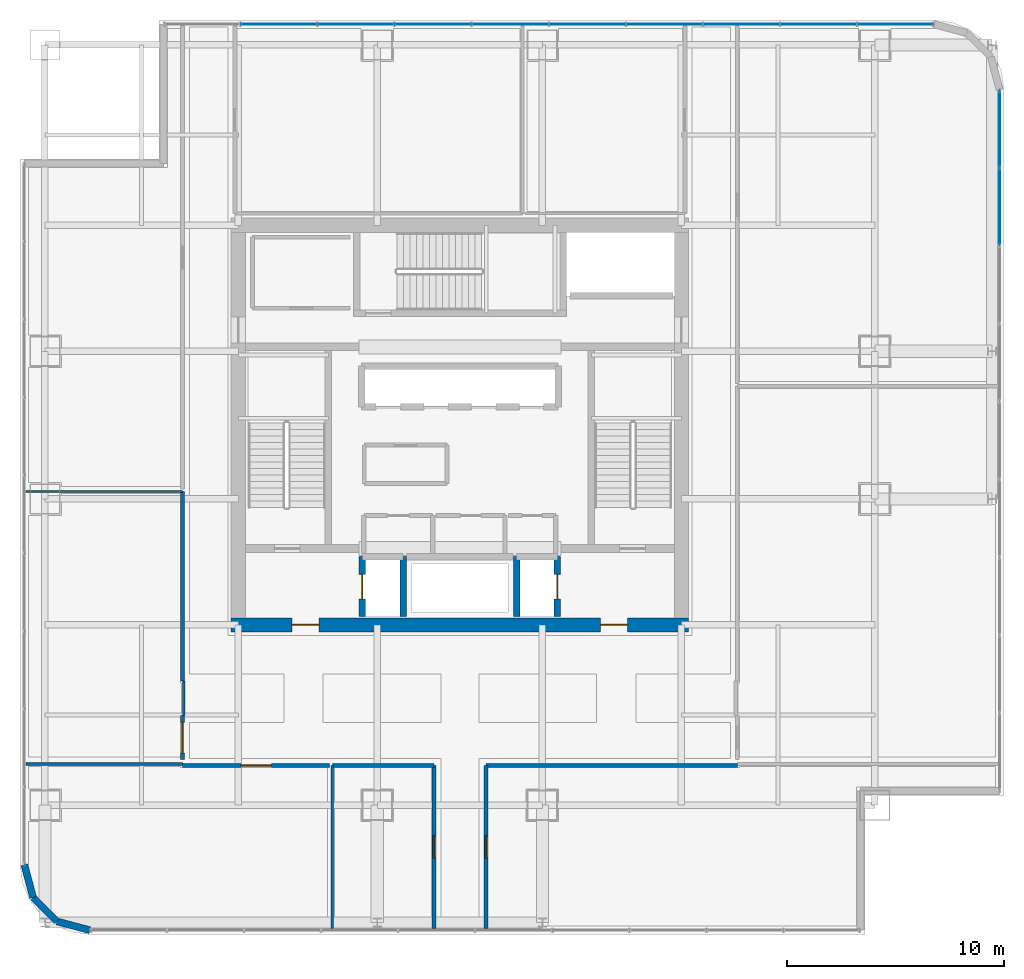
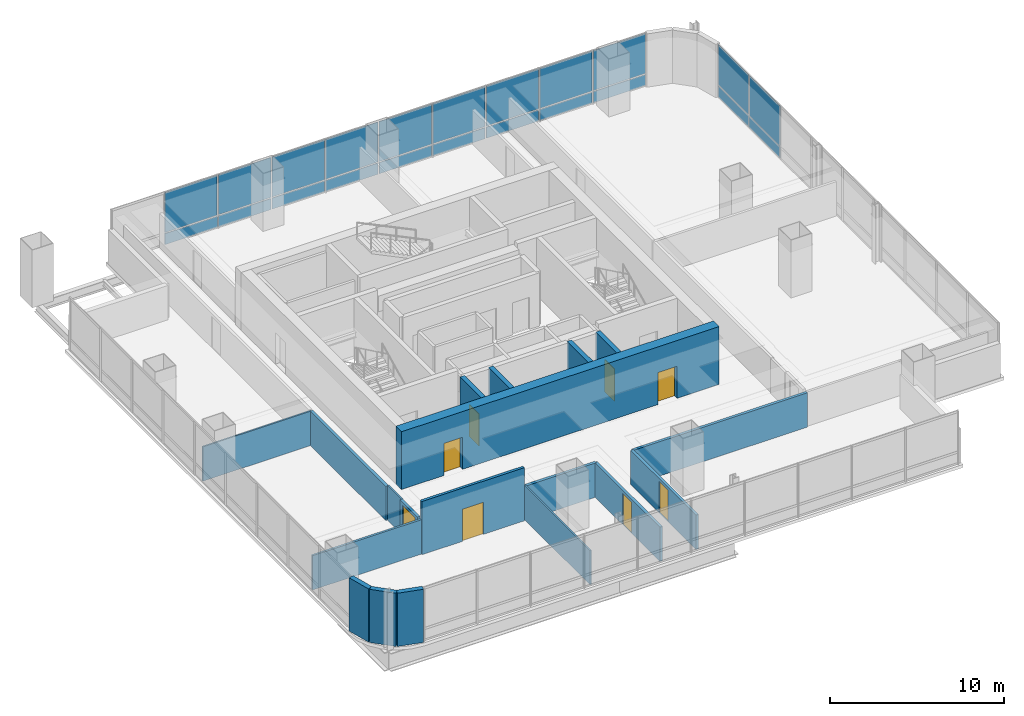
# One storey, part 29 of 35: 22 plates, 19 walls, 8 doors, 8 openings, 2 elements without a shape of their own.
"""IFC4 building model written with IfcOpenShell, lengths in metres."""

from ifc_helpers import new_model, si_unit, direction, frame, frame_2d, origin, origin_2d, place, context, subcontext, project, spatial, rectangle, extrude, material, layer, layer_set, type_object, element, fill, aggregate, save


model = new_model("IFC4")

# Units and contexts
model_context = context("Model", 3, precision=1e-05, world=origin(), true_north=direction((0.0, 1.0)))
body_context = subcontext(model_context, "Body", "Model", "MODEL_VIEW")
ifc_project = project(units=[si_unit("LENGTHUNIT", "METRE"), si_unit("AREAUNIT", "SQUARE_METRE"), si_unit("VOLUMEUNIT", "CUBIC_METRE"), si_unit("PLANEANGLEUNIT", "RADIAN"), si_unit("MASSUNIT", "GRAM", prefix="KILO")], contexts=[model_context])

# Site, building, storey
site_placement = place(None, origin())
site = spatial("IfcSite", under=ifc_project, at=site_placement, CompositionType="ELEMENT")
building_placement = place(site_placement, origin())
building = spatial("IfcBuilding", under=site, at=building_placement, Name="Punatoya Terracotta Tower", CompositionType="ELEMENT")
storey_placement = place(building_placement, frame((0.0, 0.0, 232.949951171875)))
storey = spatial("IfcBuildingStorey", under=building, at=storey_placement, Name="L55", CompositionType="ELEMENT", Elevation=232.949951171875)

# Curtain wall, plates
ifc_material_1 = material(Name="Aluminium 6063-T6 + Double Low-E Glass", Category="aluminium")
curtain_wall_type = type_object("IfcCurtainWallType", Name="CW-M2", PredefinedType="NOTDEFINED", material=ifc_material_1)
curtain_wall_1_placement = place(storey_placement, origin())
curtain_wall_1 = element("IfcCurtainWall", 1, at=curtain_wall_1_placement, inside=storey, type_object=curtain_wall_type, Name="L55 Curtain Wall CW-L55-E04-1", PredefinedType="NOTDEFINED")
ifc_material_2 = material(Name="Double Low-E Acoustic Vision Glass", Category="glass")
ifc_layer_1 = layer(ifc_material_2, 0.031982421875)
ifc_layer_set_1 = layer_set([ifc_layer_1], Name="Double Low-E Acoustic Vision Glass")
plate_type_1 = type_object("IfcPlateType", Name="PLT-GLZ-32", PredefinedType="CURTAIN_PANEL", material=ifc_layer_set_1)
plate_1_placement = place(storey_placement, frame((24.85009765625, 10.0556640625, 0.89013671875), z_axis=(0.0, 0.0, 1.0), x_axis=(0.0, 1.0, 0.0)))
plate_1 = element("IfcPlate", 2, at=plate_1_placement, type_object=plate_type_1, Name="CW-L55-E04-1 Vision Glass Panel 8", PredefinedType="CURTAIN_PANEL", context=body_context, shape_type="SweptSolid", body=[
    extrude(rectangle(XDim=3.50244140625, YDim=0.031982421875, at=origin_2d()), origin(), (0.0, 0.0, 1.0), 2.800048828125),
])
plate_2_placement = place(storey_placement, frame((24.85009765625, 13.643310546875, 0.89013671875), z_axis=(0.0, 0.0, 1.0), x_axis=(0.0, 1.0, 0.0)))
plate_2 = element("IfcPlate", 3, at=plate_2_placement, type_object=plate_type_1, Name="CW-L55-E04-1 Vision Glass Panel 9", PredefinedType="CURTAIN_PANEL", context=body_context, shape_type="SweptSolid", body=[
    extrude(rectangle(XDim=3.50244140625, YDim=0.031982421875, at=origin_2d()), origin(), (0.0, 0.0, 1.0), 2.800048828125),
])

curtain_wall_2_placement = place(storey_placement, origin())
curtain_wall_2 = element("IfcCurtainWall", 4, at=curtain_wall_2_placement, inside=storey, type_object=curtain_wall_type, Name="L55 Curtain Wall CW-L55-N08-1", PredefinedType="NOTDEFINED")
plate_3_placement = place(storey_placement, frame((20.0625, 18.449951171875, 0.89013671875), z_axis=(0.0, 0.0, 1.0), x_axis=(-1.0, 0.0, 0.0)))
plate_3 = element("IfcPlate", 5, at=plate_3_placement, type_object=plate_type_1, Name="CW-L55-N08-1 Vision Glass Panel 1", PredefinedType="CURTAIN_PANEL", context=body_context, shape_type="SweptSolid", body=[
    extrude(rectangle(XDim=3.463623046875, YDim=0.031982421875, at=origin_2d()), origin(), (0.0, 0.0, 1.0), 2.800048828125),
])
plate_4_placement = place(storey_placement, frame((16.513916015625, 18.449951171875, 0.89013671875), z_axis=(0.0, 0.0, 1.0), x_axis=(-1.0, 0.0, 0.0)))
plate_4 = element("IfcPlate", 6, at=plate_4_placement, type_object=plate_type_1, Name="CW-L55-N08-1 Vision Glass Panel 2", PredefinedType="CURTAIN_PANEL", context=body_context, shape_type="SweptSolid", body=[
    extrude(rectangle(XDim=3.463623046875, YDim=0.031982421875, at=origin_2d()), origin(), (0.0, 0.0, 1.0), 2.800048828125),
])
plate_5_placement = place(storey_placement, frame((12.965087890625, 18.449951171875, 0.89013671875), z_axis=(0.0, 0.0, 1.0), x_axis=(-1.0, 0.0, 0.0)))
plate_5 = element("IfcPlate", 7, at=plate_5_placement, type_object=plate_type_1, Name="CW-L55-N08-1 Vision Glass Panel 3", PredefinedType="CURTAIN_PANEL", context=body_context, shape_type="SweptSolid", body=[
    extrude(rectangle(XDim=3.463623046875, YDim=0.031982421875, at=origin_2d()), origin(), (0.0, 0.0, 1.0), 2.800048828125),
])
plate_6_placement = place(storey_placement, frame((9.41650390625, 18.449951171875, 0.89013671875), z_axis=(0.0, 0.0, 1.0), x_axis=(-1.0, 0.0, 0.0)))
plate_6 = element("IfcPlate", 8, at=plate_6_placement, type_object=plate_type_1, Name="CW-L55-N08-1 Vision Glass Panel 4", PredefinedType="CURTAIN_PANEL", context=body_context, shape_type="SweptSolid", body=[
    extrude(rectangle(XDim=3.463623046875, YDim=0.031982421875, at=origin_2d()), origin(), (0.0, 0.0, 1.0), 2.800048828125),
])
plate_7_placement = place(storey_placement, frame((5.867919921875, 18.449951171875, 0.89013671875), z_axis=(0.0, 0.0, 1.0), x_axis=(-1.0, 0.0, 0.0)))
plate_7 = element("IfcPlate", 9, at=plate_7_placement, type_object=plate_type_1, Name="CW-L55-N08-1 Vision Glass Panel 5", PredefinedType="CURTAIN_PANEL", context=body_context, shape_type="SweptSolid", body=[
    extrude(rectangle(XDim=3.463623046875, YDim=0.031982421875, at=origin_2d()), origin(), (0.0, 0.0, 1.0), 2.800048828125),
])
plate_8_placement = place(storey_placement, frame((2.319091796875, 18.449951171875, 0.89013671875), z_axis=(0.0, 0.0, 1.0), x_axis=(-1.0, 0.0, 0.0)))
plate_8 = element("IfcPlate", 10, at=plate_8_placement, type_object=plate_type_1, Name="CW-L55-N08-1 Vision Glass Panel 6", PredefinedType="CURTAIN_PANEL", context=body_context, shape_type="SweptSolid", body=[
    extrude(rectangle(XDim=3.463623046875, YDim=0.031982421875, at=origin_2d()), origin(), (0.0, 0.0, 1.0), 2.800048828125),
])
plate_9_placement = place(storey_placement, frame((-1.2294921875, 18.449951171875, 0.89013671875), z_axis=(0.0, 0.0, 1.0), x_axis=(-1.0, 0.0, 0.0)))
plate_9 = element("IfcPlate", 11, at=plate_9_placement, type_object=plate_type_1, Name="CW-L55-N08-1 Vision Glass Panel 7", PredefinedType="CURTAIN_PANEL", context=body_context, shape_type="SweptSolid", body=[
    extrude(rectangle(XDim=3.463623046875, YDim=0.031982421875, at=origin_2d()), origin(), (0.0, 0.0, 1.0), 2.800048828125),
])
plate_10_placement = place(storey_placement, frame((-4.7783203125, 18.449951171875, 0.89013671875), z_axis=(0.0, 0.0, 1.0), x_axis=(-1.0, 0.0, 0.0)))
plate_10 = element("IfcPlate", 12, at=plate_10_placement, type_object=plate_type_1, Name="CW-L55-N08-1 Vision Glass Panel 8", PredefinedType="CURTAIN_PANEL", context=body_context, shape_type="SweptSolid", body=[
    extrude(rectangle(XDim=3.463623046875, YDim=0.031982421875, at=origin_2d()), origin(), (0.0, 0.0, 1.0), 2.800048828125),
])
plate_11_placement = place(storey_placement, frame((-8.326904296875, 18.449951171875, 0.89013671875), z_axis=(0.0, 0.0, 1.0), x_axis=(-1.0, 0.0, 0.0)))
plate_11 = element("IfcPlate", 13, at=plate_11_placement, type_object=plate_type_1, Name="CW-L55-N08-1 Vision Glass Panel 9", PredefinedType="CURTAIN_PANEL", context=body_context, shape_type="SweptSolid", body=[
    extrude(rectangle(XDim=3.463623046875, YDim=0.031982421875, at=origin_2d()), origin(), (0.0, 0.0, 1.0), 2.800048828125),
])

# Plate
ifc_material_3 = material(Name="Insulated Terracotta-Backed Spandrel Panel", Category="masonry")
ifc_layer_2 = layer(ifc_material_3, 0.044921875)
ifc_layer_set_2 = layer_set([ifc_layer_2], Name="Insulated Terracotta-Backed Spandrel Panel")
plate_type_2 = type_object("IfcPlateType", Name="PLT-SPN-45", PredefinedType="CURTAIN_PANEL", material=ifc_layer_set_2)
plate_12_placement = place(storey_placement, frame((24.85009765625, 10.0556640625, 0.0400390625), z_axis=(0.0, 0.0, 1.0), x_axis=(0.0, 1.0, 0.0)))
plate_12 = element("IfcPlate", 14, at=plate_12_placement, type_object=plate_type_2, Name="CW-L55-E04-1 Terracotta Spandrel Panel 8", PredefinedType="CURTAIN_PANEL", context=body_context, shape_type="SweptSolid", body=[
    extrude(rectangle(XDim=3.50244140625, YDim=0.044921875, at=origin_2d()), origin(), (0.0, 0.0, 1.0), 0.77490234375),
])

plate_13_placement = place(storey_placement, frame((24.85009765625, 13.643310546875, 0.0400390625), z_axis=(0.0, 0.0, 1.0), x_axis=(0.0, 1.0, 0.0)))
plate_13 = element("IfcPlate", 15, at=plate_13_placement, type_object=plate_type_2, Name="CW-L55-E04-1 Terracotta Spandrel Panel 9", PredefinedType="CURTAIN_PANEL", context=body_context, shape_type="SweptSolid", body=[
    extrude(rectangle(XDim=3.50244140625, YDim=0.044921875, at=origin_2d()), origin(), (0.0, 0.0, 1.0), 0.77490234375),
])

aggregate(curtain_wall_1, [plate_12, plate_1, plate_13, plate_2])

plate_14_placement = place(storey_placement, frame((20.0625, 18.449951171875, 0.0400390625), z_axis=(0.0, 0.0, 1.0), x_axis=(-1.0, 0.0, 0.0)))
plate_14 = element("IfcPlate", 16, at=plate_14_placement, type_object=plate_type_2, Name="CW-L55-N08-1 Terracotta Spandrel Panel 1", PredefinedType="CURTAIN_PANEL", context=body_context, shape_type="SweptSolid", body=[
    extrude(rectangle(XDim=3.463623046875, YDim=0.044921875, at=origin_2d()), origin(), (0.0, 0.0, 1.0), 0.77490234375),
])

plate_15_placement = place(storey_placement, frame((16.513916015625, 18.449951171875, 0.0400390625), z_axis=(0.0, 0.0, 1.0), x_axis=(-1.0, 0.0, 0.0)))
plate_15 = element("IfcPlate", 17, at=plate_15_placement, type_object=plate_type_2, Name="CW-L55-N08-1 Terracotta Spandrel Panel 2", PredefinedType="CURTAIN_PANEL", context=body_context, shape_type="SweptSolid", body=[
    extrude(rectangle(XDim=3.463623046875, YDim=0.044921875, at=origin_2d()), origin(), (0.0, 0.0, 1.0), 0.77490234375),
])

plate_16_placement = place(storey_placement, frame((12.965087890625, 18.449951171875, 0.0400390625), z_axis=(0.0, 0.0, 1.0), x_axis=(-1.0, 0.0, 0.0)))
plate_16 = element("IfcPlate", 18, at=plate_16_placement, type_object=plate_type_2, Name="CW-L55-N08-1 Terracotta Spandrel Panel 3", PredefinedType="CURTAIN_PANEL", context=body_context, shape_type="SweptSolid", body=[
    extrude(rectangle(XDim=3.463623046875, YDim=0.044921875, at=origin_2d()), origin(), (0.0, 0.0, 1.0), 0.77490234375),
])

plate_17_placement = place(storey_placement, frame((9.41650390625, 18.449951171875, 0.0400390625), z_axis=(0.0, 0.0, 1.0), x_axis=(-1.0, 0.0, 0.0)))
plate_17 = element("IfcPlate", 19, at=plate_17_placement, type_object=plate_type_2, Name="CW-L55-N08-1 Terracotta Spandrel Panel 4", PredefinedType="CURTAIN_PANEL", context=body_context, shape_type="SweptSolid", body=[
    extrude(rectangle(XDim=3.463623046875, YDim=0.044921875, at=origin_2d()), origin(), (0.0, 0.0, 1.0), 0.77490234375),
])

plate_18_placement = place(storey_placement, frame((5.867919921875, 18.449951171875, 0.0400390625), z_axis=(0.0, 0.0, 1.0), x_axis=(-1.0, 0.0, 0.0)))
plate_18 = element("IfcPlate", 20, at=plate_18_placement, type_object=plate_type_2, Name="CW-L55-N08-1 Terracotta Spandrel Panel 5", PredefinedType="CURTAIN_PANEL", context=body_context, shape_type="SweptSolid", body=[
    extrude(rectangle(XDim=3.463623046875, YDim=0.044921875, at=origin_2d()), origin(), (0.0, 0.0, 1.0), 0.77490234375),
])

plate_19_placement = place(storey_placement, frame((2.319091796875, 18.449951171875, 0.0400390625), z_axis=(0.0, 0.0, 1.0), x_axis=(-1.0, 0.0, 0.0)))
plate_19 = element("IfcPlate", 21, at=plate_19_placement, type_object=plate_type_2, Name="CW-L55-N08-1 Terracotta Spandrel Panel 6", PredefinedType="CURTAIN_PANEL", context=body_context, shape_type="SweptSolid", body=[
    extrude(rectangle(XDim=3.463623046875, YDim=0.044921875, at=origin_2d()), origin(), (0.0, 0.0, 1.0), 0.77490234375),
])

plate_20_placement = place(storey_placement, frame((-1.2294921875, 18.449951171875, 0.0400390625), z_axis=(0.0, 0.0, 1.0), x_axis=(-1.0, 0.0, 0.0)))
plate_20 = element("IfcPlate", 22, at=plate_20_placement, type_object=plate_type_2, Name="CW-L55-N08-1 Terracotta Spandrel Panel 7", PredefinedType="CURTAIN_PANEL", context=body_context, shape_type="SweptSolid", body=[
    extrude(rectangle(XDim=3.463623046875, YDim=0.044921875, at=origin_2d()), origin(), (0.0, 0.0, 1.0), 0.77490234375),
])

plate_21_placement = place(storey_placement, frame((-4.7783203125, 18.449951171875, 0.0400390625), z_axis=(0.0, 0.0, 1.0), x_axis=(-1.0, 0.0, 0.0)))
plate_21 = element("IfcPlate", 23, at=plate_21_placement, type_object=plate_type_2, Name="CW-L55-N08-1 Terracotta Spandrel Panel 8", PredefinedType="CURTAIN_PANEL", context=body_context, shape_type="SweptSolid", body=[
    extrude(rectangle(XDim=3.463623046875, YDim=0.044921875, at=origin_2d()), origin(), (0.0, 0.0, 1.0), 0.77490234375),
])

plate_22_placement = place(storey_placement, frame((-8.326904296875, 18.449951171875, 0.0400390625), z_axis=(0.0, 0.0, 1.0), x_axis=(-1.0, 0.0, 0.0)))
plate_22 = element("IfcPlate", 24, at=plate_22_placement, type_object=plate_type_2, Name="CW-L55-N08-1 Terracotta Spandrel Panel 9", PredefinedType="CURTAIN_PANEL", context=body_context, shape_type="SweptSolid", body=[
    extrude(rectangle(XDim=3.463623046875, YDim=0.044921875, at=origin_2d()), origin(), (0.0, 0.0, 1.0), 0.77490234375),
])

aggregate(curtain_wall_2, [plate_14, plate_3, plate_15, plate_4, plate_16, plate_5, plate_17, plate_6, plate_18, plate_7, plate_19, plate_8, plate_20, plate_9, plate_21, plate_10, plate_22, plate_11])

# Wall, openings, doors
ifc_material_4 = material(Name="Concrete C60/75", Category="concrete")
ifc_layer_3 = layer(ifc_material_4, 0.64990234375)
ifc_layer_set_3 = layer_set([ifc_layer_3], Name="Concrete C60/75")
wall_type_1 = type_object("IfcWallType", Name="WL-COR-650", PredefinedType="SHEAR", material=ifc_layer_set_3)
wall_1_placement = place(storey_placement, frame((10.52490234375, -9.199951171875, 0.0), z_axis=(0.0, 0.0, 1.0), x_axis=(-1.0, 0.0, 0.0)))
wall_1 = element("IfcWall", 25, at=wall_1_placement, inside=storey, type_object=wall_type_1, Name="L55 Core Shear Wall S", PredefinedType="SHEAR", context=body_context, shape_type="SweptSolid", body=[
    extrude(rectangle(XDim=21.0498046875, YDim=0.64990234375, at=frame_2d((10.52490234375, 0.0))), origin(), (0.0, 0.0, 1.0), 4.050048828125),
])
opening_1_placement = place(wall_1_placement, frame((2.800048828125, 0.0, 0.0)))
opening_1 = element("IfcOpeningElement", 26, at=opening_1_placement, cuts=wall_1, Name="Opening FD-L1", PredefinedType="OPENING", context=body_context, shape_type="SweptSolid", body=[
    extrude(rectangle(XDim=1.25, YDim=2.25, at=frame_2d((0.625, 1.125))), frame((0.0, 0.3349609375, 0.0), z_axis=(0.0, -1.0, 0.0), x_axis=(1.0, 0.0, 0.0)), (0.0, 0.0, 1.0), 0.669921875),
])
opening_2_placement = place(wall_1_placement, frame((17.0, 0.0, 0.0)))
opening_2 = element("IfcOpeningElement", 27, at=opening_2_placement, cuts=wall_1, Name="Opening FD-L1", PredefinedType="OPENING", context=body_context, shape_type="SweptSolid", body=[
    extrude(rectangle(XDim=1.25, YDim=2.25, at=frame_2d((0.625, 1.125))), frame((0.0, 0.3349609375, 0.0), z_axis=(0.0, -1.0, 0.0), x_axis=(1.0, 0.0, 0.0)), (0.0, 0.0, 1.0), 0.669921875),
])
ifc_material_5 = material(Name="Galvanised Steel Smokeproof Fire Door", Category="steel")
door_type_1 = type_object("IfcDoorType", Name="DR-FFL-1250", OperationType="NOTDEFINED", PredefinedType="DOOR", material=ifc_material_5)
door_1_placement = place(opening_1_placement, origin())
door_1 = element("IfcDoor", 28, at=door_1_placement, inside=storey, type_object=door_type_1, Name="L55 East Firefighting Lobby Corridor Fire Door", OperationType="SINGLE_SWING_LEFT", OverallHeight=2.25, OverallWidth=1.25, PredefinedType="DOOR", context=body_context, shape_type="SweptSolid", body=[
    extrude(rectangle(XDim=1.25, YDim=2.25, at=frame_2d((0.625, 1.125))), frame((0.0, 0.02490234375, 0.0), z_axis=(0.0, -1.0, 0.0), x_axis=(1.0, 0.0, 0.0)), (0.0, 0.0, 1.0), 0.050048828125),
])
fill(opening_1, door_1)
door_2_placement = place(opening_2_placement, origin())
door_2 = element("IfcDoor", 29, at=door_2_placement, inside=storey, type_object=door_type_1, Name="L55 West Firefighting Lobby Corridor Fire Door", OperationType="SINGLE_SWING_RIGHT", OverallHeight=2.25, OverallWidth=1.25, PredefinedType="DOOR", context=body_context, shape_type="SweptSolid", body=[
    extrude(rectangle(XDim=1.25, YDim=2.25, at=frame_2d((0.625, 1.125))), frame((0.0, 0.02490234375, 0.0), z_axis=(0.0, -1.0, 0.0), x_axis=(1.0, 0.0, 0.0)), (0.0, 0.0, 1.0), 0.050048828125),
])
fill(opening_2, door_2)

# Wall, opening, door
ifc_material_6 = material(Name="Gypsum Fireboard + Steel Stud", Category="steel")
ifc_layer_4 = layer(ifc_material_6, 0.179931640625)
ifc_layer_set_4 = layer_set([ifc_layer_4], Name="Gypsum Fireboard + Steel Stud")
wall_type_2 = type_object("IfcWallType", Name="WL-CORR-180", PredefinedType="PARTITIONING", material=ifc_layer_set_4)
wall_2_placement = place(storey_placement, frame((-1.199951171875, -15.669921875, 0.0), z_axis=(0.0, 0.0, 1.0), x_axis=(0.0, -1.0, 0.0)))
wall_2 = element("IfcWall", 30, at=wall_2_placement, inside=storey, type_object=wall_type_2, Name="L55 Open-Plan Plenary Seminar Room Partition 15", PredefinedType="PARTITIONING", context=body_context, shape_type="SweptSolid", body=[
    extrude(rectangle(XDim=7.5, YDim=0.179931640625, at=frame_2d((3.75, 0.0))), origin(), (0.0, 0.0, 1.0), 2.404052734375),
])
opening_3_placement = place(wall_2_placement, frame((3.239990234375, 0.0, 0.0)))
opening_3 = element("IfcOpeningElement", 31, at=opening_3_placement, cuts=wall_2, Name="Opening MD-01", PredefinedType="OPENING", context=body_context, shape_type="SweptSolid", body=[
    extrude(rectangle(XDim=1.02001953125, YDim=2.199951171875, at=frame_2d((0.510009765625, 1.10009765625))), frame((0.0, 0.099853515625, 0.0), z_axis=(0.0, -1.0, 0.0), x_axis=(1.0, 0.0, 0.0)), (0.0, 0.0, 1.0), 0.199951171875),
])
ifc_material_7 = material(Name="Aluminium + Acoustic Glass Leaf", Category="aluminium")
door_type_2 = type_object("IfcDoorType", Name="DR-MTG-1020", OperationType="NOTDEFINED", PredefinedType="DOOR", material=ifc_material_7)
door_3_placement = place(opening_3_placement, origin())
door_3 = element("IfcDoor", 32, at=door_3_placement, inside=storey, type_object=door_type_2, Name="L55 Open-Plan Plenary Seminar Room Door", OperationType="SINGLE_SWING_RIGHT", OverallHeight=2.199951171875, OverallWidth=1.02001953125, PredefinedType="DOOR", context=body_context, shape_type="SweptSolid", body=[
    extrude(rectangle(XDim=1.02001953125, YDim=2.199951171875, at=frame_2d((0.510009765625, 1.10009765625))), frame((0.0, 0.02490234375, 0.0), z_axis=(0.0, -1.0, 0.0), x_axis=(1.0, 0.0, 0.0)), (0.0, 0.0, 1.0), 0.050048828125),
])
fill(opening_3, door_3)

# Wall
wall_3_placement = place(storey_placement, frame((-5.8740234375, -15.669921875, 0.0), z_axis=(0.0, 0.0, 1.0), x_axis=(1.0, 0.0, 0.0)))
element("IfcWall", 33, at=wall_3_placement, inside=storey, type_object=wall_type_2, Name="L55 Open-Plan Plenary Seminar Room Partition 17", PredefinedType="PARTITIONING", context=body_context, shape_type="SweptSolid", body=[
    extrude(rectangle(XDim=4.674072265625, YDim=0.179931640625, at=frame_2d((2.3369140625, 0.0))), origin(), (0.0, 0.0, 1.0), 2.404052734375),
])

# Wall, opening, door
wall_4_placement = place(storey_placement, frame((-12.77001953125, -15.669921875, 0.0), z_axis=(0.0, 0.0, 1.0), x_axis=(1.0, 0.0, 0.0)))
wall_4 = element("IfcWall", 34, at=wall_4_placement, inside=storey, type_object=wall_type_2, Name="L55 Open-Plan Client Strategy Boardroom Partition 19", PredefinedType="PARTITIONING", context=body_context, shape_type="SweptSolid", body=[
    extrude(rectangle(XDim=6.776123046875, YDim=0.179931640625, at=frame_2d((3.38818359375, 0.0))), origin(), (0.0, 0.0, 1.0), 3.72998046875),
])
opening_4_placement = place(wall_4_placement, frame((2.68798828125, 0.0, 0.0)))
opening_4 = element("IfcOpeningElement", 35, at=opening_4_placement, cuts=wall_4, Name="Opening BD-01", PredefinedType="OPENING", context=body_context, shape_type="SweptSolid", body=[
    extrude(rectangle(XDim=1.39990234375, YDim=2.25, at=frame_2d((0.699951171875, 1.125))), frame((0.0, 0.099853515625, 0.0), z_axis=(0.0, -1.0, 0.0), x_axis=(1.0, 0.0, 0.0)), (0.0, 0.0, 1.0), 0.199951171875),
])
ifc_material_8 = material(Name="Bengal Teak Acoustic Leaf")
door_type_3 = type_object("IfcDoorType", Name="DR-BRD-1400", OperationType="NOTDEFINED", PredefinedType="DOOR", material=ifc_material_8)
door_4_placement = place(opening_4_placement, origin())
door_4 = element("IfcDoor", 36, at=door_4_placement, inside=storey, type_object=door_type_3, Name="L55 Open-Plan Client Strategy Boardroom Door", OperationType="SINGLE_SWING_LEFT", OverallHeight=2.25, OverallWidth=1.39990234375, PredefinedType="DOOR", context=body_context, shape_type="SweptSolid", body=[
    extrude(rectangle(XDim=1.39990234375, YDim=2.25, at=frame_2d((0.699951171875, 1.125))), frame((0.0, 0.02490234375, 0.0), z_axis=(0.0, -1.0, 0.0), x_axis=(1.0, 0.0, 0.0)), (0.0, 0.0, 1.0), 0.050048828125),
])
fill(opening_4, door_4)

wall_5_placement = place(storey_placement, frame((1.199951171875, -23.169921875, 0.0), z_axis=(0.0, 0.0, 1.0), x_axis=(0.0, 1.0, 0.0)))
wall_5 = element("IfcWall", 37, at=wall_5_placement, inside=storey, type_object=wall_type_2, Name="L55 Open-Plan Collaborative Workshop Room Partition 20", PredefinedType="PARTITIONING", context=body_context, shape_type="SweptSolid", body=[
    extrude(rectangle(XDim=7.5, YDim=0.179931640625, at=frame_2d((3.75, 0.0))), origin(), (0.0, 0.0, 1.0), 2.404052734375),
])
opening_5_placement = place(wall_5_placement, frame((3.239990234375, 0.0, 0.0)))
opening_5 = element("IfcOpeningElement", 38, at=opening_5_placement, cuts=wall_5, Name="Opening MD-01", PredefinedType="OPENING", context=body_context, shape_type="SweptSolid", body=[
    extrude(rectangle(XDim=1.02001953125, YDim=2.199951171875, at=frame_2d((0.510009765625, 1.10009765625))), frame((0.0, 0.099853515625, 0.0), z_axis=(0.0, -1.0, 0.0), x_axis=(1.0, 0.0, 0.0)), (0.0, 0.0, 1.0), 0.199951171875),
])
door_5_placement = place(opening_5_placement, origin())
door_5 = element("IfcDoor", 39, at=door_5_placement, inside=storey, type_object=door_type_2, Name="L55 Open-Plan Collaborative Workshop Room Door", OperationType="SINGLE_SWING_RIGHT", OverallHeight=2.199951171875, OverallWidth=1.02001953125, PredefinedType="DOOR", context=body_context, shape_type="SweptSolid", body=[
    extrude(rectangle(XDim=1.02001953125, YDim=2.199951171875, at=frame_2d((0.510009765625, 1.10009765625))), frame((0.0, 0.02490234375, 0.0), z_axis=(0.0, -1.0, 0.0), x_axis=(1.0, 0.0, 0.0)), (0.0, 0.0, 1.0), 0.050048828125),
])
fill(opening_5, door_5)

# Walls
wall_6_placement = place(storey_placement, frame((1.199951171875, -15.669921875, 0.0), z_axis=(0.0, 0.0, 1.0), x_axis=(1.0, 0.0, 0.0)))
element("IfcWall", 40, at=wall_6_placement, inside=storey, type_object=wall_type_2, Name="L55 Open-Plan Collaborative Workshop Room Partition 21", PredefinedType="PARTITIONING", context=body_context, shape_type="SweptSolid", body=[
    extrude(rectangle(XDim=11.570068359375, YDim=0.179931640625, at=frame_2d((5.78515625, 0.0))), origin(), (0.0, 0.0, 1.0), 2.404052734375),
])
wall_7_placement = place(storey_placement, frame((-12.77001953125, -3.053955078125, 0.0), z_axis=(0.0, 0.0, 1.0), x_axis=(0.0, -1.0, 0.0)))
element("IfcWall", 41, at=wall_7_placement, inside=storey, type_object=wall_type_2, Name="L55 Open-Plan Executive Briefing Room Partition 24", PredefinedType="PARTITIONING", context=body_context, shape_type="SweptSolid", body=[
    extrude(rectangle(XDim=8.716064453125, YDim=0.179931640625, at=frame_2d((4.35791015625, 0.0))), origin(), (0.0, 0.0, 1.0), 2.404052734375),
])

# Wall, opening, door
wall_8_placement = place(storey_placement, frame((-12.77001953125, -13.3798828125, 0.0), z_axis=(0.0, 0.0, 1.0), x_axis=(0.0, -1.0, 0.0)))
wall_8 = element("IfcWall", 42, at=wall_8_placement, inside=storey, type_object=wall_type_2, Name="L55 Open-Plan Executive Briefing Room Partition 26", PredefinedType="PARTITIONING", context=body_context, shape_type="SweptSolid", body=[
    extrude(rectangle(XDim=2.010009765625, YDim=0.179931640625, at=frame_2d((1.0048828125, 0.0))), origin(), (0.0, 0.0, 1.0), 2.444091796875),
])
opening_6_placement = place(wall_8_placement, frame((0.304931640625, 0.0, 0.0)))
opening_6 = element("IfcOpeningElement", 43, at=opening_6_placement, cuts=wall_8, Name="Opening BD-01", PredefinedType="OPENING", context=body_context, shape_type="SweptSolid", body=[
    extrude(rectangle(XDim=1.39990234375, YDim=2.25, at=frame_2d((0.699951171875, 1.125))), frame((0.0, 0.099853515625, 0.0), z_axis=(0.0, -1.0, 0.0), x_axis=(1.0, 0.0, 0.0)), (0.0, 0.0, 1.0), 0.199951171875),
])
door_6_placement = place(opening_6_placement, origin())
door_6 = element("IfcDoor", 44, at=door_6_placement, inside=storey, type_object=door_type_3, Name="L55 Open-Plan Executive Briefing Room Door", OperationType="SINGLE_SWING_LEFT", OverallHeight=2.25, OverallWidth=1.39990234375, PredefinedType="DOOR", context=body_context, shape_type="SweptSolid", body=[
    extrude(rectangle(XDim=1.39990234375, YDim=2.25, at=frame_2d((0.699951171875, 1.125))), frame((0.0, 0.02490234375, 0.0), z_axis=(0.0, -1.0, 0.0), x_axis=(1.0, 0.0, 0.0)), (0.0, 0.0, 1.0), 0.050048828125),
])
fill(opening_6, door_6)

# Walls
ifc_material_9 = material(Name="Precast concrete C40/50", Category="concrete")
ifc_layer_5 = layer(ifc_material_9, 0.320068359375)
ifc_layer_set_5 = layer_set([ifc_layer_5], Name="Precast concrete C40/50")
wall_type_3 = type_object("IfcWallType", Name="WL-EXT-320", PredefinedType="SOLIDWALL", material=ifc_layer_set_5)
wall_9_placement = place(storey_placement, frame((-20.050048828125, -20.23681640625, 0.0), z_axis=(0.0, 0.0, 1.0), x_axis=(0.257847112249, -0.966185730957, 0.0)))
element("IfcWall", 45, at=wall_9_placement, inside=storey, type_object=wall_type_3, Name="L55 Rounded Terracotta Corner Pier 12", PredefinedType="SOLIDWALL", context=body_context, shape_type="SweptSolid", body=[
    extrude(rectangle(XDim=1.565185546875, YDim=0.320068359375, at=frame_2d((0.78271484375, 0.0))), origin(), (0.0, 0.0, 1.0), 3.72998046875),
])
wall_10_placement = place(storey_placement, frame((-19.646484375, -21.7490234375, 0.0), z_axis=(0.0, 0.0, 1.0), x_axis=(0.707028130747, -0.707185422879, 0.0)))
element("IfcWall", 46, at=wall_10_placement, inside=storey, type_object=wall_type_3, Name="L55 Rounded Terracotta Corner Pier 13", PredefinedType="SOLIDWALL", context=body_context, shape_type="SweptSolid", body=[
    extrude(rectangle(XDim=1.55224609375, YDim=0.320068359375, at=frame_2d((0.776123046875, 0.0))), origin(), (0.0, 0.0, 1.0), 3.72998046875),
])
wall_11_placement = place(storey_placement, frame((-18.549072265625, -22.8466796875, 0.0), z_axis=(0.0, 0.0, 1.0), x_axis=(0.966224582397, -0.257701486942, 0.0)))
element("IfcWall", 47, at=wall_11_placement, inside=storey, type_object=wall_type_3, Name="L55 Rounded Terracotta Corner Pier 14", PredefinedType="SOLIDWALL", context=body_context, shape_type="SweptSolid", body=[
    extrude(rectangle(XDim=1.565185546875, YDim=0.320068359375, at=frame_2d((0.78271484375, 0.0))), origin(), (0.0, 0.0, 1.0), 3.72998046875),
])
ifc_material_10 = material(Name="Aluminium Framed Acoustic Glass Partition", Category="aluminium")
ifc_layer_6 = layer(ifc_material_10, 0.10009765625)
ifc_layer_set_6 = layer_set([ifc_layer_6], Name="Aluminium Framed Acoustic Glass Partition")
wall_type_4 = type_object("IfcWallType", Name="WL-GLZ-100", PredefinedType="PARTITIONING", material=ifc_layer_set_6)
wall_12_placement = place(storey_placement, frame((-5.8740234375, -23.169921875, 0.0), z_axis=(0.0, 0.0, 1.0), x_axis=(0.0, 1.0, 0.0)))
element("IfcWall", 48, at=wall_12_placement, inside=storey, type_object=wall_type_4, Name="L55 Open-Plan Plenary Seminar Room Partition 16", PredefinedType="PARTITIONING", context=body_context, shape_type="SweptSolid", body=[
    extrude(rectangle(XDim=7.5, YDim=0.10009765625, at=frame_2d((3.75, 0.0))), origin(), (0.0, 0.0, 1.0), 2.404052734375),
])
wall_13_placement = place(storey_placement, frame((-19.969970703125, -3.053955078125, 0.0), z_axis=(0.0, 0.0, 1.0), x_axis=(1.0, 0.0, 0.0)))
element("IfcWall", 49, at=wall_13_placement, inside=storey, type_object=wall_type_4, Name="L55 Open-Plan Executive Briefing Room Partition 23", PredefinedType="PARTITIONING", context=body_context, shape_type="SweptSolid", body=[
    extrude(rectangle(XDim=7.199951171875, YDim=0.10009765625, at=frame_2d((3.60009765625, 0.0))), origin(), (0.0, 0.0, 1.0), 2.404052734375),
])
wall_14_placement = place(storey_placement, frame((-12.7099609375, -11.77001953125, 0.0), z_axis=(0.0, 0.0, 1.0), x_axis=(0.0, -1.0, 0.0)))
element("IfcWall", 50, at=wall_14_placement, inside=storey, type_object=wall_type_4, Name="L55 Open-Plan Executive Briefing Room Partition 25", PredefinedType="PARTITIONING", context=body_context, shape_type="SweptSolid", body=[
    extrude(rectangle(XDim=1.60986328125, YDim=0.10009765625, at=frame_2d((0.804931640625, 0.0))), origin(), (0.0, 0.0, 1.0), 2.444091796875),
])
ifc_material_11 = material(Name="Acoustic Gypsum + Steel Stud", Category="steel")
ifc_layer_7 = layer(ifc_material_11, 0.139892578125)
ifc_layer_set_7 = layer_set([ifc_layer_7], Name="Acoustic Gypsum + Steel Stud")
wall_type_5 = type_object("IfcWallType", Name="WL-OFF-140", PredefinedType="PARTITIONING", material=ifc_layer_set_7)
wall_15_placement = place(storey_placement, frame((-19.969970703125, -15.610107421875, 0.0), z_axis=(0.0, 0.0, 1.0), x_axis=(1.0, 0.0, 0.0)))
element("IfcWall", 51, at=wall_15_placement, inside=storey, type_object=wall_type_5, Name="L55 Open-Plan Client Strategy Boardroom Partition 18", PredefinedType="PARTITIONING", context=body_context, shape_type="SweptSolid", body=[
    extrude(rectangle(XDim=7.199951171875, YDim=0.139892578125, at=frame_2d((3.60009765625, 0.0))), origin(), (0.0, 0.0, 1.0), 2.404052734375),
])

# Wall, opening, door
ifc_material_12 = material(Name="Concrete C40/50", Category="concrete")
ifc_layer_8 = layer(ifc_material_12, 0.300048828125)
ifc_layer_set_8 = layer_set([ifc_layer_8], Name="Concrete C40/50")
wall_type_6 = type_object("IfcWallType", Name="WL-SHF-300", PredefinedType="SOLIDWALL", material=ifc_layer_set_8)
wall_16_placement = place(storey_placement, frame((-4.489990234375, -8.820068359375, 0.0), z_axis=(0.0, 0.0, 1.0), x_axis=(0.0, 1.0, 0.0)))
wall_16 = element("IfcWall", 52, at=wall_16_placement, inside=storey, type_object=wall_type_6, Name="L55 FFL-1 Front Hoistway Wall", PredefinedType="SOLIDWALL", context=body_context, shape_type="SweptSolid", body=[
    extrude(rectangle(XDim=2.77001953125, YDim=0.300048828125, at=frame_2d((1.385009765625, 0.0))), origin(), (0.0, 0.0, 1.0), 3.72998046875),
])
opening_7_placement = place(wall_16_placement, frame((0.824951171875, 0.0, 0.0)))
opening_7 = element("IfcOpeningElement", 53, at=opening_7_placement, cuts=wall_16, Name="Opening LD-02", PredefinedType="OPENING", context=body_context, shape_type="SweptSolid", body=[
    extrude(rectangle(XDim=1.1201171875, YDim=2.25, at=frame_2d((0.56005859375, 1.125))), frame((0.0, 0.159912109375, 0.0), z_axis=(0.0, -1.0, 0.0), x_axis=(1.0, 0.0, 0.0)), (0.0, 0.0, 1.0), 0.320068359375),
])
ifc_material_13 = material(Name="Stainless Steel Lift Landing Door", Category="steel")
door_type_4 = type_object("IfcDoorType", Name="DR-LND-1120", OperationType="NOTDEFINED", PredefinedType="DOOR", material=ifc_material_13)
door_7_placement = place(opening_7_placement, origin())
door_7 = element("IfcDoor", 54, at=door_7_placement, inside=storey, type_object=door_type_4, Name="L55 Firefighting Lift FFL-1 Sliding Landing Door", OperationType="SLIDING_TO_LEFT", OverallHeight=2.25, OverallWidth=1.1201171875, PredefinedType="DOOR", context=body_context, shape_type="SweptSolid", body=[
    extrude(rectangle(XDim=1.1201171875, YDim=2.25, at=frame_2d((0.56005859375, 1.125))), frame((0.0, 0.02490234375, 0.0), z_axis=(0.0, -1.0, 0.0), x_axis=(1.0, 0.0, 0.0)), (0.0, 0.0, 1.0), 0.050048828125),
])
fill(opening_7, door_7)

# Wall
wall_17_placement = place(storey_placement, frame((-2.610107421875, -8.820068359375, 0.0), z_axis=(0.0, 0.0, 1.0), x_axis=(0.0, 1.0, 0.0)))
element("IfcWall", 55, at=wall_17_placement, inside=storey, type_object=wall_type_6, Name="L55 FFL-1 Rear Hoistway Wall", PredefinedType="SOLIDWALL", context=body_context, shape_type="SweptSolid", body=[
    extrude(rectangle(XDim=2.77001953125, YDim=0.300048828125, at=frame_2d((1.385009765625, 0.0))), origin(), (0.0, 0.0, 1.0), 3.72998046875),
])

# Wall, opening, door
wall_18_placement = place(storey_placement, frame((4.489990234375, -8.820068359375, 0.0), z_axis=(0.0, 0.0, 1.0), x_axis=(0.0, 1.0, 0.0)))
wall_18 = element("IfcWall", 56, at=wall_18_placement, inside=storey, type_object=wall_type_6, Name="L55 FFL-2 Front Hoistway Wall", PredefinedType="SOLIDWALL", context=body_context, shape_type="SweptSolid", body=[
    extrude(rectangle(XDim=2.77001953125, YDim=0.300048828125, at=frame_2d((1.385009765625, 0.0))), origin(), (0.0, 0.0, 1.0), 3.72998046875),
])
opening_8_placement = place(wall_18_placement, frame((0.824951171875, 0.0, 0.0)))
opening_8 = element("IfcOpeningElement", 57, at=opening_8_placement, cuts=wall_18, Name="Opening LD-02", PredefinedType="OPENING", context=body_context, shape_type="SweptSolid", body=[
    extrude(rectangle(XDim=1.1201171875, YDim=2.25, at=frame_2d((0.56005859375, 1.125))), frame((0.0, 0.159912109375, 0.0), z_axis=(0.0, -1.0, 0.0), x_axis=(1.0, 0.0, 0.0)), (0.0, 0.0, 1.0), 0.320068359375),
])
door_8_placement = place(opening_8_placement, origin())
door_8 = element("IfcDoor", 58, at=door_8_placement, inside=storey, type_object=door_type_4, Name="L55 Firefighting Lift FFL-2 Sliding Landing Door", OperationType="SLIDING_TO_RIGHT", OverallHeight=2.25, OverallWidth=1.1201171875, PredefinedType="DOOR", context=body_context, shape_type="SweptSolid", body=[
    extrude(rectangle(XDim=1.1201171875, YDim=2.25, at=frame_2d((0.56005859375, 1.125))), frame((0.0, 0.02490234375, 0.0), z_axis=(0.0, -1.0, 0.0), x_axis=(1.0, 0.0, 0.0)), (0.0, 0.0, 1.0), 0.050048828125),
])
fill(opening_8, door_8)

# Wall
wall_19_placement = place(storey_placement, frame((2.610107421875, -8.820068359375, 0.0), z_axis=(0.0, 0.0, 1.0), x_axis=(0.0, 1.0, 0.0)))
element("IfcWall", 59, at=wall_19_placement, inside=storey, type_object=wall_type_6, Name="L55 FFL-2 Rear Hoistway Wall", PredefinedType="SOLIDWALL", context=body_context, shape_type="SweptSolid", body=[
    extrude(rectangle(XDim=2.77001953125, YDim=0.300048828125, at=frame_2d((1.385009765625, 0.0))), origin(), (0.0, 0.0, 1.0), 3.72998046875),
])

save(model, "model.ifc")
